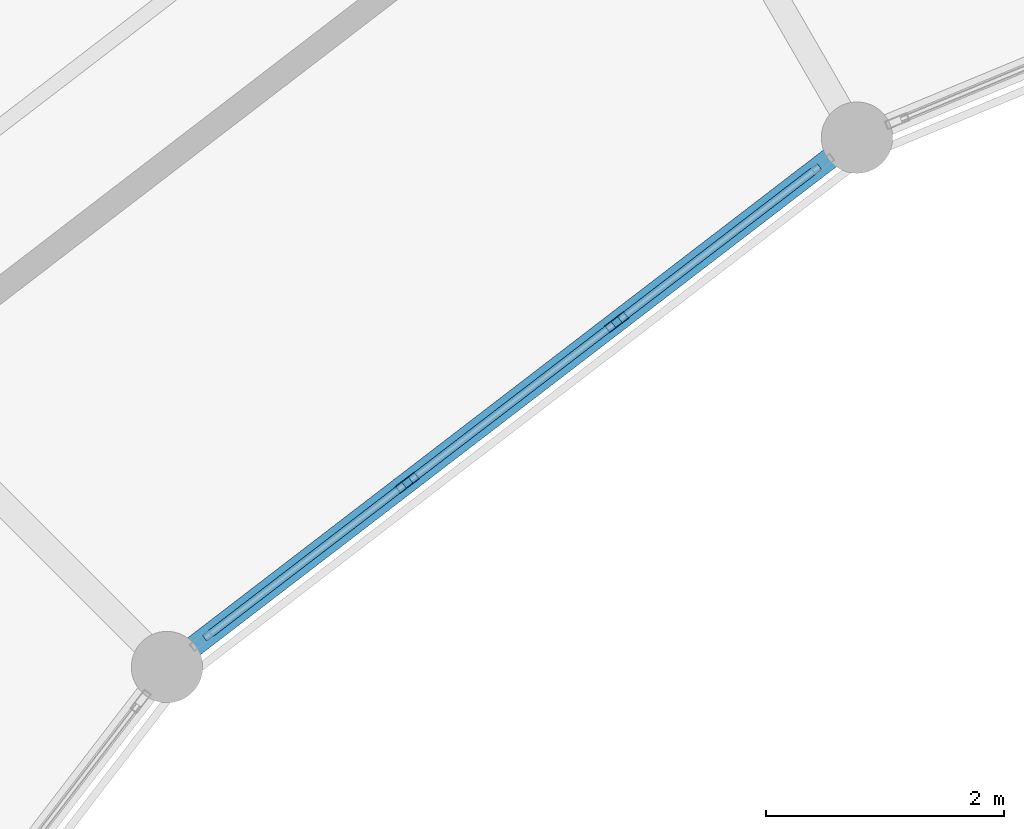
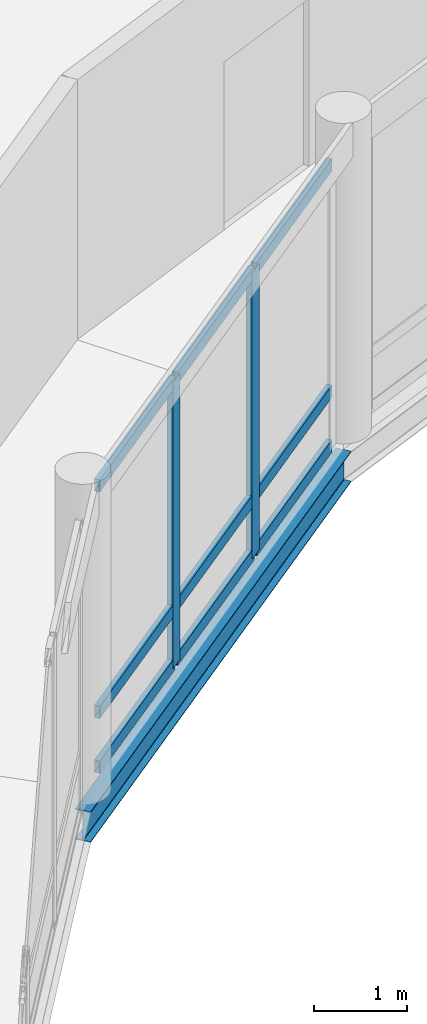
# One storey, part 78 of 185: 11 members, 1 beam, 1 element without a shape of its own.
"""IFC4 building model written with IfcOpenShell, lengths in metres."""

from ifc_helpers import new_model, si_unit, direction, frame, origin, origin_2d, place, context, subcontext, project, spatial, hollow_rectangle, i_section, extrude, material, material_profile, profile_set, type_object, element, aggregate, save


model = new_model("IFC4")

# Units and contexts
model_context = context("Model", 3, precision=1e-05, world=origin(), true_north=direction((0.0, 1.0)))
body_context = subcontext(model_context, "Body", "Model", "MODEL_VIEW")
ifc_project = project(units=[si_unit("LENGTHUNIT", "METRE"), si_unit("AREAUNIT", "SQUARE_METRE"), si_unit("VOLUMEUNIT", "CUBIC_METRE"), si_unit("PLANEANGLEUNIT", "RADIAN"), si_unit("MASSUNIT", "GRAM", prefix="KILO")], contexts=[model_context])

# Site, building, storey
site_placement = place(None, origin())
site = spatial("IfcSite", under=ifc_project, at=site_placement, CompositionType="ELEMENT")
building_placement = place(site_placement, origin())
building = spatial("IfcBuilding", under=site, at=building_placement, Name="Vondelvale Polytechnic", CompositionType="ELEMENT")
storey_placement = place(building_placement, frame((0.0, 0.0, 9.60009765625)))
storey = spatial("IfcBuildingStorey", under=building, at=storey_placement, Name="L02", CompositionType="ELEMENT", Elevation=9.60009765625)

# Beam
ifc_material_1 = material(Name="Steel 300PLUS (fy = 300 MPa)", Category="steel")
ifc_material_profile_1 = material_profile(ifc_material_1, i_section(OverallWidth=0.177978515625, OverallDepth=0.403076171875, WebThickness=0.007568359375, FlangeThickness=0.010986328125, FilletRadius=0.011474609375, at=origin_2d()), Name="410UB53.7")
ifc_profile_set_1 = profile_set([ifc_material_profile_1], Name="Steel 300PLUS (fy = 300 MPa)")
beam_type = type_object("IfcBeamType", Name="BM-UB410L", PredefinedType="BEAM", material=ifc_profile_set_1)
beam_placement = place(storey_placement, frame((88.0, 96.248779296875, -0.481689453125), z_axis=(-0.793358469083, -0.608754744979, 0.0), x_axis=(0.608754744979, -0.793358469083, 0.0)))
element("IfcBeam", 1, at=beam_placement, inside=storey, type_object=beam_type, Name="L02 RB B-23", PredefinedType="BEAM", context=body_context, shape_type="SweptSolid", body=[
    extrude(i_section(OverallWidth=0.177978515625, OverallDepth=0.403076171875, WebThickness=0.007568359375, FlangeThickness=0.010986328125, FilletRadius=0.011474609375, at=origin_2d()), origin(), (0.0, 0.0, 1.0), 7.3095703125),
])

# Curtain wall, members
ifc_material_2 = material(Name="Anodised extruded aluminium 6063-T6", Category="aluminium")
curtain_wall_type = type_object("IfcCurtainWallType", Name="CW-RING-CLOISTER", PredefinedType="NOTDEFINED", material=ifc_material_2)
curtain_wall_placement = place(storey_placement, origin())
curtain_wall = element("IfcCurtainWall", 2, at=curtain_wall_placement, inside=storey, type_object=curtain_wall_type, Name="L02 architectural curtain wall CW-03-198", PredefinedType="NOTDEFINED")
ifc_material_profile_2 = material_profile(ifc_material_2, hollow_rectangle(XDim=0.070068359375, YDim=0.199951171875, WallThickness=0.00390625, at=origin_2d()), Name="CW-MUL-200x70")
ifc_profile_set_2 = profile_set([ifc_material_profile_2], Name="Anodised extruded aluminium 6063-T6")
member_type_1 = type_object("IfcMemberType", Name="CW-MUL-70x200", PredefinedType="MULLION", material=ifc_profile_set_2)
member_1_placement = place(storey_placement, frame((85.97998046875, 94.69873046875, 0.0), z_axis=(0.0, 0.0, 1.0), x_axis=(0.608747717793, -0.793363861089, 0.0)))
member_1 = element("IfcMember", 3, at=member_1_placement, type_object=member_type_1, Name="CW-03-198 mullion 2", PredefinedType="MULLION", context=body_context, shape_type="SweptSolid", body=[
    extrude(hollow_rectangle(XDim=0.070068359375, YDim=0.199951171875, WallThickness=0.00390625, at=origin_2d()), origin(), (0.0, 0.0, 1.0), 3.75),
])
member_2_placement = place(storey_placement, frame((84.220947265625, 93.348876953125, 0.0), z_axis=(0.0, 0.0, 1.0), x_axis=(0.608747717793, -0.793363861089, 0.0)))
member_2 = element("IfcMember", 4, at=member_2_placement, type_object=member_type_1, Name="CW-03-198 mullion 3", PredefinedType="MULLION", context=body_context, shape_type="SweptSolid", body=[
    extrude(hollow_rectangle(XDim=0.070068359375, YDim=0.199951171875, WallThickness=0.00390625, at=origin_2d()), origin(), (0.0, 0.0, 1.0), 3.75),
])
ifc_material_profile_3 = material_profile(ifc_material_2, hollow_rectangle(XDim=0.06494140625, YDim=0.159912109375, WallThickness=0.00341796875, at=origin_2d()), Name="CW-TRN-160x65")
ifc_profile_set_3 = profile_set([ifc_material_profile_3], Name="Anodised extruded aluminium 6063-T6")
member_type_2 = type_object("IfcMemberType", Name="CW-TRN-70x160", PredefinedType="USERDEFINED", material=ifc_profile_set_3)
member_3_placement = place(storey_placement, frame((87.683837890625, 96.006103515625, 0.032470703125), z_axis=(-0.793336583571, -0.608783266169, 0.0), x_axis=(0.608783266169, -0.793336583571, 0.0)))
member_3 = element("IfcMember", 5, at=member_3_placement, type_object=member_type_2, Name="CW-03-198 transom 1.1", ObjectType="TRANSOM", PredefinedType="USERDEFINED", context=body_context, shape_type="SweptSolid", body=[
    extrude(hollow_rectangle(XDim=0.06494140625, YDim=0.159912109375, WallThickness=0.00341796875, at=origin_2d()), origin(), (0.0, 0.0, 1.0), 2.112548828125),
])
member_4_placement = place(storey_placement, frame((87.683837890625, 96.006103515625, 0.75), z_axis=(-0.793336583571, -0.608783266169, 0.0), x_axis=(0.608783266169, -0.793336583571, 0.0)))
member_4 = element("IfcMember", 6, at=member_4_placement, type_object=member_type_2, Name="CW-03-198 transom 1.2", ObjectType="TRANSOM", PredefinedType="USERDEFINED", context=body_context, shape_type="SweptSolid", body=[
    extrude(hollow_rectangle(XDim=0.06494140625, YDim=0.159912109375, WallThickness=0.00341796875, at=origin_2d()), origin(), (0.0, 0.0, 1.0), 2.112548828125),
])
member_5_placement = place(storey_placement, frame((87.683837890625, 96.006103515625, 3.71728515625), z_axis=(-0.793336583571, -0.608783266169, 0.0), x_axis=(0.608783266169, -0.793336583571, 0.0)))
member_5 = element("IfcMember", 7, at=member_5_placement, type_object=member_type_2, Name="CW-03-198 transom 1.3", ObjectType="TRANSOM", PredefinedType="USERDEFINED", context=body_context, shape_type="SweptSolid", body=[
    extrude(hollow_rectangle(XDim=0.06494140625, YDim=0.159912109375, WallThickness=0.00341796875, at=origin_2d()), origin(), (0.0, 0.0, 1.0), 2.112548828125),
])
member_6_placement = place(storey_placement, frame((85.952392578125, 94.677490234375, 0.032470703125), z_axis=(-0.793375728306, -0.608732251269, 0.0), x_axis=(0.608732251269, -0.793375728306, 0.0)))
member_6 = element("IfcMember", 8, at=member_6_placement, type_object=member_type_2, Name="CW-03-198 transom 2.1", ObjectType="TRANSOM", PredefinedType="USERDEFINED", context=body_context, shape_type="SweptSolid", body=[
    extrude(hollow_rectangle(XDim=0.06494140625, YDim=0.159912109375, WallThickness=0.00341796875, at=origin_2d()), origin(), (0.0, 0.0, 1.0), 2.147216796875),
])
member_7_placement = place(storey_placement, frame((85.952392578125, 94.677490234375, 0.75), z_axis=(-0.793375728306, -0.608732251269, 0.0), x_axis=(0.608732251269, -0.793375728306, 0.0)))
member_7 = element("IfcMember", 9, at=member_7_placement, type_object=member_type_2, Name="CW-03-198 transom 2.2", ObjectType="TRANSOM", PredefinedType="USERDEFINED", context=body_context, shape_type="SweptSolid", body=[
    extrude(hollow_rectangle(XDim=0.06494140625, YDim=0.159912109375, WallThickness=0.00341796875, at=origin_2d()), origin(), (0.0, 0.0, 1.0), 2.147216796875),
])
member_8_placement = place(storey_placement, frame((85.952392578125, 94.677490234375, 3.71728515625), z_axis=(-0.793375728306, -0.608732251269, 0.0), x_axis=(0.608732251269, -0.793375728306, 0.0)))
member_8 = element("IfcMember", 10, at=member_8_placement, type_object=member_type_2, Name="CW-03-198 transom 2.3", ObjectType="TRANSOM", PredefinedType="USERDEFINED", context=body_context, shape_type="SweptSolid", body=[
    extrude(hollow_rectangle(XDim=0.06494140625, YDim=0.159912109375, WallThickness=0.00341796875, at=origin_2d()), origin(), (0.0, 0.0, 1.0), 2.147216796875),
])
member_9_placement = place(storey_placement, frame((84.193115234375, 93.32763671875, 0.032470703125), z_axis=(-0.793349569285, -0.608766343448, 0.0), x_axis=(0.608766343448, -0.793349569285, 0.0)))
member_9 = element("IfcMember", 11, at=member_9_placement, type_object=member_type_2, Name="CW-03-198 transom 3.1", ObjectType="TRANSOM", PredefinedType="USERDEFINED", context=body_context, shape_type="SweptSolid", body=[
    extrude(hollow_rectangle(XDim=0.06494140625, YDim=0.159912109375, WallThickness=0.00341796875, at=origin_2d()), origin(), (0.0, 0.0, 1.0), 2.1123046875),
])
member_10_placement = place(storey_placement, frame((84.193115234375, 93.32763671875, 0.75), z_axis=(-0.793349569285, -0.608766343448, 0.0), x_axis=(0.608766343448, -0.793349569285, 0.0)))
member_10 = element("IfcMember", 12, at=member_10_placement, type_object=member_type_2, Name="CW-03-198 transom 3.2", ObjectType="TRANSOM", PredefinedType="USERDEFINED", context=body_context, shape_type="SweptSolid", body=[
    extrude(hollow_rectangle(XDim=0.06494140625, YDim=0.159912109375, WallThickness=0.00341796875, at=origin_2d()), origin(), (0.0, 0.0, 1.0), 2.1123046875),
])
member_11_placement = place(storey_placement, frame((84.193115234375, 93.32763671875, 3.71728515625), z_axis=(-0.793349569285, -0.608766343448, 0.0), x_axis=(0.608766343448, -0.793349569285, 0.0)))
member_11 = element("IfcMember", 13, at=member_11_placement, type_object=member_type_2, Name="CW-03-198 transom 3.3", ObjectType="TRANSOM", PredefinedType="USERDEFINED", context=body_context, shape_type="SweptSolid", body=[
    extrude(hollow_rectangle(XDim=0.06494140625, YDim=0.159912109375, WallThickness=0.00341796875, at=origin_2d()), origin(), (0.0, 0.0, 1.0), 2.1123046875),
])
aggregate(curtain_wall, [member_1, member_2, member_3, member_4, member_5, member_6, member_7, member_8, member_9, member_10, member_11])

save(model, "model.ifc")
